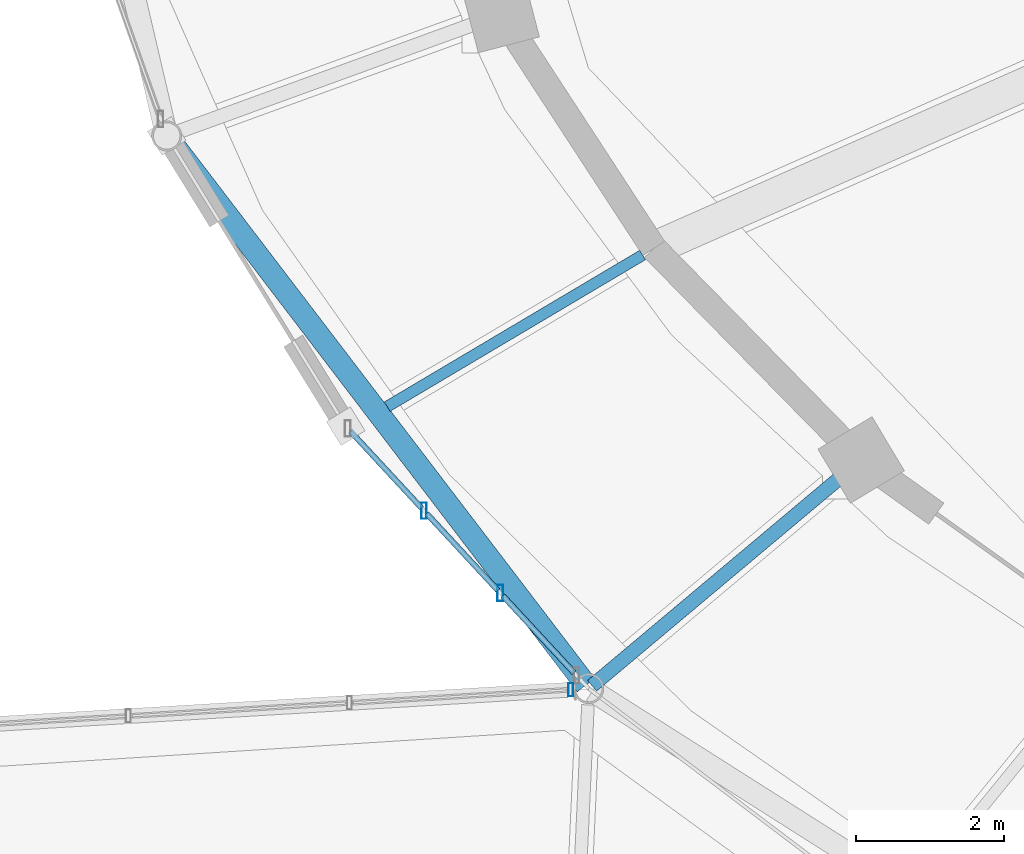
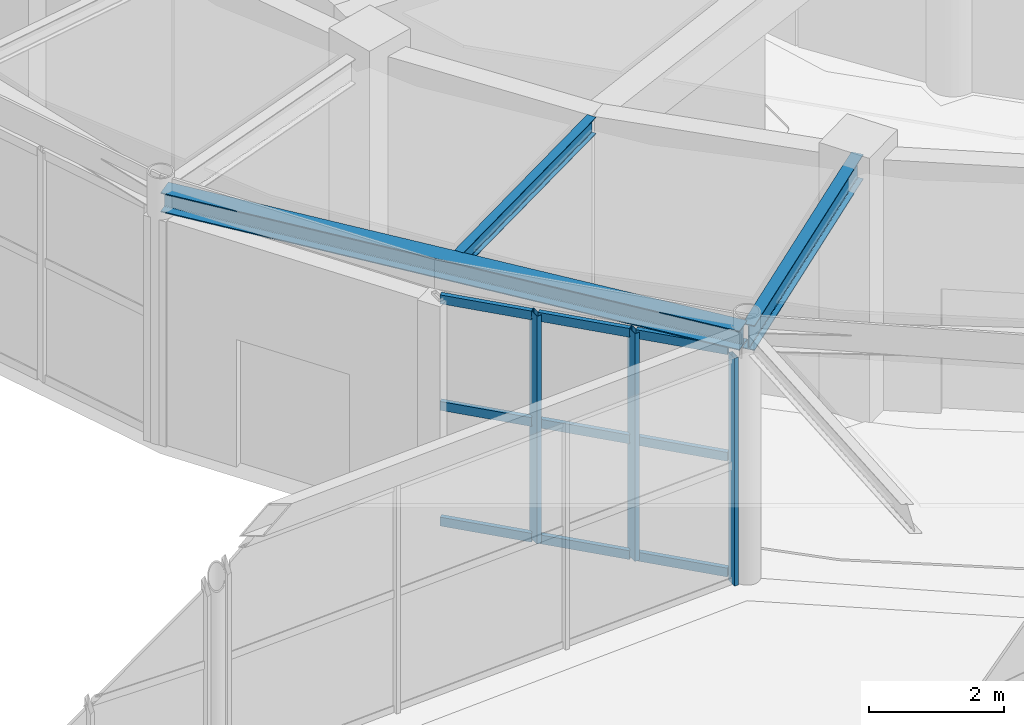
# One storey, part 30 of 108: 12 members, 3 beams, 2 elements without a shape of their own.
"""IFC4 building model written with IfcOpenShell, lengths in metres."""

from ifc_helpers import new_model, si_unit, direction, frame, origin, origin_2d, place, context, subcontext, project, spatial, hollow_rectangle, i_section, extrude, material, material_profile, profile_set, type_object, element, aggregate, save


model = new_model("IFC4")

# Units and contexts
model_context = context("Model", 3, precision=1e-05, world=origin(), true_north=direction((0.0, 1.0)))
body_context = subcontext(model_context, "Body", "Model", "MODEL_VIEW")
ifc_project = project(units=[si_unit("LENGTHUNIT", "METRE"), si_unit("AREAUNIT", "SQUARE_METRE"), si_unit("VOLUMEUNIT", "CUBIC_METRE"), si_unit("PLANEANGLEUNIT", "RADIAN"), si_unit("MASSUNIT", "GRAM", prefix="KILO")], contexts=[model_context])

# Site, building, storey
site_placement = place(None, origin())
site = spatial("IfcSite", under=ifc_project, at=site_placement, CompositionType="ELEMENT")
building_placement = place(site_placement, origin())
building = spatial("IfcBuilding", under=site, at=building_placement, Name="Tarnveldt Headland Concert Hall", CompositionType="ELEMENT")
storey_placement = place(building_placement, origin())
storey = spatial("IfcBuildingStorey", under=building, at=storey_placement, Name="L00", CompositionType="ELEMENT", Elevation=0.0)

# Curtain wall, member
ifc_material_1 = material(Name="Marine-anodised aluminium EN AW-6063-T6", Category="aluminium")
curtain_wall_type_1 = type_object("IfcCurtainWallType", Name="CW-L1", PredefinedType="NOTDEFINED", material=ifc_material_1)
curtain_wall_1_placement = place(storey_placement, origin())
curtain_wall_1 = element("IfcCurtainWall", 1, at=curtain_wall_1_placement, inside=storey, type_object=curtain_wall_type_1, Name="Curtain wall CW-L00-171", PredefinedType="NOTDEFINED")
ifc_material_profile_1 = material_profile(ifc_material_1, hollow_rectangle(XDim=0.06494140625, YDim=0.179931640625, WallThickness=0.00390625, at=origin_2d()), Name="ALU MULLION 65x180x4", Category="aluminium")
ifc_profile_set_1 = profile_set([ifc_material_profile_1], Name="Marine-anodised aluminium EN AW-6063-T6")
member_type_1 = type_object("IfcMemberType", Name="ML-180", PredefinedType="MULLION", material=ifc_profile_set_1)
member_1_placement = place(storey_placement, frame((58.130859375, 38.54443359375, 0.0), z_axis=(0.0, 0.0, 1.0), x_axis=(1.0, 0.0, 0.0)))
member_1 = element("IfcMember", 2, at=member_1_placement, type_object=member_type_1, Name="Mullion CW-L00-171-4", PredefinedType="MULLION", context=body_context, shape_type="SweptSolid", body=[
    extrude(hollow_rectangle(XDim=0.06494140625, YDim=0.179931640625, WallThickness=0.00390625, at=origin_2d()), origin(), (0.0, 0.0, 1.0), 4.10791015625),
])
aggregate(curtain_wall_1, [member_1])

# Curtain wall, members
curtain_wall_type_2 = type_object("IfcCurtainWallType", Name="CW-F1", PredefinedType="NOTDEFINED", material=ifc_material_1)
curtain_wall_2_placement = place(storey_placement, origin())
curtain_wall_2 = element("IfcCurtainWall", 3, at=curtain_wall_2_placement, inside=storey, type_object=curtain_wall_type_2, Name="Curtain wall CW-L00-017", PredefinedType="NOTDEFINED")
ifc_material_profile_2 = material_profile(ifc_material_1, hollow_rectangle(XDim=0.074951171875, YDim=0.219970703125, WallThickness=0.0048828125, at=origin_2d()), Name="ALU MULLION 75x220x5", Category="aluminium")
ifc_profile_set_2 = profile_set([ifc_material_profile_2], Name="Marine-anodised aluminium EN AW-6063-T6")
member_type_2 = type_object("IfcMemberType", Name="ML-200", PredefinedType="MULLION", material=ifc_profile_set_2)
member_2_placement = place(storey_placement, frame((56.150634765625, 40.959716796875, 0.0), z_axis=(0.0, 0.0, 1.0), x_axis=(1.0, 0.0, 0.0)))
member_2 = element("IfcMember", 4, at=member_2_placement, type_object=member_type_2, Name="Mullion CW-L00-017-2", PredefinedType="MULLION", context=body_context, shape_type="SweptSolid", body=[
    extrude(hollow_rectangle(XDim=0.074951171875, YDim=0.219970703125, WallThickness=0.0048828125, at=origin_2d()), origin(), (0.0, 0.0, 1.0), 4.10791015625),
])
member_3_placement = place(storey_placement, frame((57.179443359375, 39.848388671875, 0.0), z_axis=(0.0, 0.0, 1.0), x_axis=(1.0, 0.0, 0.0)))
member_3 = element("IfcMember", 5, at=member_3_placement, type_object=member_type_2, Name="Mullion CW-L00-017-3", PredefinedType="MULLION", context=body_context, shape_type="SweptSolid", body=[
    extrude(hollow_rectangle(XDim=0.074951171875, YDim=0.219970703125, WallThickness=0.0048828125, at=origin_2d()), origin(), (0.0, 0.0, 1.0), 4.10791015625),
])

# Beams
ifc_material_2 = material(Name="Steel S355", Category="steel")
ifc_material_profile_3 = material_profile(ifc_material_2, i_section(OverallWidth=0.300048828125, OverallDepth=0.35009765625, WebThickness=0.010009765625, FlangeThickness=0.017578125, FilletRadius=0.027099609375, at=origin_2d()), Name="HEA360", Category="steel")
ifc_profile_set_3 = profile_set([ifc_material_profile_3], Name="Steel S355")
beam_type_1 = type_object("IfcBeamType", Name="SB-HEA360", PredefinedType="SPANDREL", material=ifc_profile_set_3)
beam_1_placement = place(storey_placement, frame((52.714599609375, 45.97021484375, 4.344970703125), z_axis=(0.606896353007, -0.794780986629, 0.0), x_axis=(0.794780986629, 0.606896353007, 0.0)))
element("IfcBeam", 6, at=beam_1_placement, inside=storey, type_object=beam_type_1, Name="Framing beam L00-377", PredefinedType="SPANDREL", context=body_context, shape_type="SweptSolid", body=[
    extrude(i_section(OverallWidth=0.300048828125, OverallDepth=0.35009765625, WebThickness=0.010009765625, FlangeThickness=0.017578125, FilletRadius=0.027099609375, at=origin_2d()), origin(), (0.0, 0.0, 1.0), 9.264892578125),
])
ifc_material_profile_4 = material_profile(ifc_material_2, i_section(OverallWidth=0.14990234375, OverallDepth=0.300048828125, WebThickness=0.007080078125, FlangeThickness=0.0107421875, FilletRadius=0.014892578125, at=origin_2d()), Name="IPE300", Category="steel")
ifc_profile_set_4 = profile_set([ifc_material_profile_4], Name="Steel S355")
beam_type_2 = type_object("IfcBeamType", Name="SB-IPE300", PredefinedType="JOIST", material=ifc_profile_set_4)
beam_2_placement = place(storey_placement, frame((59.100830078125, 44.41064453125, 4.3701171875), z_axis=(-0.859902377377, -0.510458520726, 0.0), x_axis=(0.510458520726, -0.859902377377, 0.0)))
element("IfcBeam", 7, at=beam_2_placement, inside=storey, type_object=beam_type_2, Name="Framing beam L00-379", PredefinedType="JOIST", context=body_context, shape_type="SweptSolid", body=[
    extrude(i_section(OverallWidth=0.14990234375, OverallDepth=0.300048828125, WebThickness=0.007080078125, FlangeThickness=0.0107421875, FilletRadius=0.014892578125, at=origin_2d()), origin(), (0.0, 0.0, 1.0), 4.007568359375),
])
ifc_material_profile_5 = material_profile(ifc_material_2, i_section(OverallWidth=0.18994140625, OverallDepth=0.449951171875, WebThickness=0.009521484375, FlangeThickness=0.0146484375, FilletRadius=0.02099609375, at=origin_2d()), Name="IPE450", Category="steel")
ifc_profile_set_5 = profile_set([ifc_material_profile_5], Name="Steel S355")
beam_type_3 = type_object("IfcBeamType", Name="SB-IPE450", PredefinedType="BEAM", material=ifc_profile_set_5)
beam_3_placement = place(storey_placement, frame((62.020263671875, 41.618408203125, 4.294921875), z_axis=(-0.76607107782, -0.642755866351, 0.0), x_axis=(0.642755866351, -0.76607107782, 0.0)))
element("IfcBeam", 8, at=beam_3_placement, inside=storey, type_object=beam_type_3, Name="Framing beam L00-381", PredefinedType="BEAM", context=body_context, shape_type="SweptSolid", body=[
    extrude(i_section(OverallWidth=0.18994140625, OverallDepth=0.449951171875, WebThickness=0.009521484375, FlangeThickness=0.0146484375, FilletRadius=0.02099609375, at=origin_2d()), origin(), (0.0, 0.0, 1.0), 4.699951171875),
])

# Member
ifc_material_profile_6 = material_profile(ifc_material_1, hollow_rectangle(XDim=0.074951171875, YDim=0.159912109375, WallThickness=0.00390625, at=origin_2d()), Name="ALU TRANSOM 75x160x4", Category="aluminium")
ifc_profile_set_6 = profile_set([ifc_material_profile_6], Name="Marine-anodised aluminium EN AW-6063-T6")
member_type_3 = type_object("IfcMemberType", Name="TR-160", PredefinedType="MEMBER", material=ifc_profile_set_6)
member_4_placement = place(storey_placement, frame((55.1552734375, 42.034423828125, 0.050048828125), z_axis=(0.679418349957, -0.733751119755, 0.0), x_axis=(0.733751119755, 0.679418349957, 0.0)))
member_4 = element("IfcMember", 9, at=member_4_placement, type_object=member_type_3, Name="Transom CW-L00-017-1-1", PredefinedType="MEMBER", context=body_context, shape_type="SweptSolid", body=[
    extrude(hollow_rectangle(XDim=0.074951171875, YDim=0.159912109375, WallThickness=0.00390625, at=origin_2d()), origin(), (0.0, 0.0, 1.0), 1.41552734375),
])

member_5_placement = place(storey_placement, frame((55.1552734375, 42.034423828125, 2.13623046875), z_axis=(0.679418349957, -0.733751119755, 0.0), x_axis=(0.733751119755, 0.679418349957, 0.0)))
member_5 = element("IfcMember", 10, at=member_5_placement, type_object=member_type_3, Name="Transom CW-L00-017-1-2", PredefinedType="MEMBER", context=body_context, shape_type="SweptSolid", body=[
    extrude(hollow_rectangle(XDim=0.074951171875, YDim=0.159912109375, WallThickness=0.00390625, at=origin_2d()), origin(), (0.0, 0.0, 1.0), 1.41552734375),
])

member_6_placement = place(storey_placement, frame((55.1552734375, 42.034423828125, 4.05810546875), z_axis=(0.679418349957, -0.733751119755, 0.0), x_axis=(0.733751119755, 0.679418349957, 0.0)))
member_6 = element("IfcMember", 11, at=member_6_placement, type_object=member_type_3, Name="Transom CW-L00-017-1-3", PredefinedType="MEMBER", context=body_context, shape_type="SweptSolid", body=[
    extrude(hollow_rectangle(XDim=0.074951171875, YDim=0.159912109375, WallThickness=0.00390625, at=origin_2d()), origin(), (0.0, 0.0, 1.0), 1.41552734375),
])

member_7_placement = place(storey_placement, frame((56.18408203125, 40.923095703125, 0.050048828125), z_axis=(0.679597183655, -0.733585487839, 0.0), x_axis=(0.733585487839, 0.679597183655, 0.0)))
member_7 = element("IfcMember", 12, at=member_7_placement, type_object=member_type_3, Name="Transom CW-L00-017-2-1", PredefinedType="MEMBER", context=body_context, shape_type="SweptSolid", body=[
    extrude(hollow_rectangle(XDim=0.074951171875, YDim=0.159912109375, WallThickness=0.00390625, at=origin_2d()), origin(), (0.0, 0.0, 1.0), 1.41552734375),
])

member_8_placement = place(storey_placement, frame((56.18408203125, 40.923095703125, 2.13623046875), z_axis=(0.679597183655, -0.733585487839, 0.0), x_axis=(0.733585487839, 0.679597183655, 0.0)))
member_8 = element("IfcMember", 13, at=member_8_placement, type_object=member_type_3, Name="Transom CW-L00-017-2-2", PredefinedType="MEMBER", context=body_context, shape_type="SweptSolid", body=[
    extrude(hollow_rectangle(XDim=0.074951171875, YDim=0.159912109375, WallThickness=0.00390625, at=origin_2d()), origin(), (0.0, 0.0, 1.0), 1.41552734375),
])

member_9_placement = place(storey_placement, frame((56.18408203125, 40.923095703125, 4.05810546875), z_axis=(0.679597183655, -0.733585487839, 0.0), x_axis=(0.733585487839, 0.679597183655, 0.0)))
member_9 = element("IfcMember", 14, at=member_9_placement, type_object=member_type_3, Name="Transom CW-L00-017-2-3", PredefinedType="MEMBER", context=body_context, shape_type="SweptSolid", body=[
    extrude(hollow_rectangle(XDim=0.074951171875, YDim=0.159912109375, WallThickness=0.00390625, at=origin_2d()), origin(), (0.0, 0.0, 1.0), 1.41552734375),
])

member_10_placement = place(storey_placement, frame((57.213134765625, 39.81201171875, 0.050048828125), z_axis=(0.679504344073, -0.733671483966, 0.0), x_axis=(0.733671483966, 0.679504344073, 0.0)))
member_10 = element("IfcMember", 15, at=member_10_placement, type_object=member_type_3, Name="Transom CW-L00-017-3-1", PredefinedType="MEMBER", context=body_context, shape_type="SweptSolid", body=[
    extrude(hollow_rectangle(XDim=0.074951171875, YDim=0.159912109375, WallThickness=0.00390625, at=origin_2d()), origin(), (0.0, 0.0, 1.0), 1.415283203125),
])

member_11_placement = place(storey_placement, frame((57.213134765625, 39.81201171875, 2.13623046875), z_axis=(0.679504344073, -0.733671483966, 0.0), x_axis=(0.733671483966, 0.679504344073, 0.0)))
member_11 = element("IfcMember", 16, at=member_11_placement, type_object=member_type_3, Name="Transom CW-L00-017-3-2", PredefinedType="MEMBER", context=body_context, shape_type="SweptSolid", body=[
    extrude(hollow_rectangle(XDim=0.074951171875, YDim=0.159912109375, WallThickness=0.00390625, at=origin_2d()), origin(), (0.0, 0.0, 1.0), 1.415283203125),
])

member_12_placement = place(storey_placement, frame((57.213134765625, 39.81201171875, 4.05810546875), z_axis=(0.679504344073, -0.733671483966, 0.0), x_axis=(0.733671483966, 0.679504344073, 0.0)))
member_12 = element("IfcMember", 17, at=member_12_placement, type_object=member_type_3, Name="Transom CW-L00-017-3-3", PredefinedType="MEMBER", context=body_context, shape_type="SweptSolid", body=[
    extrude(hollow_rectangle(XDim=0.074951171875, YDim=0.159912109375, WallThickness=0.00390625, at=origin_2d()), origin(), (0.0, 0.0, 1.0), 1.415283203125),
])

aggregate(curtain_wall_2, [member_2, member_3, member_4, member_5, member_6, member_7, member_8, member_9, member_10, member_11, member_12])

save(model, "model.ifc")
